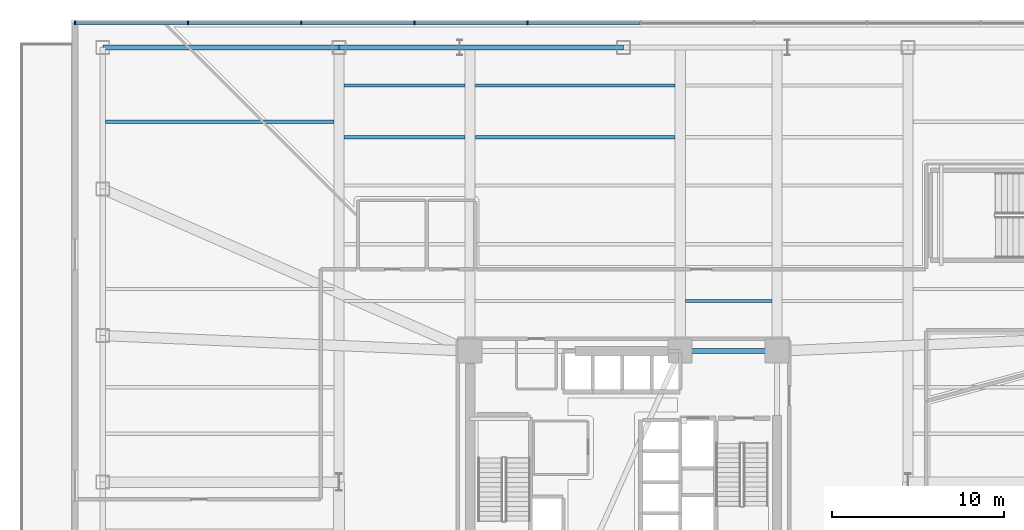
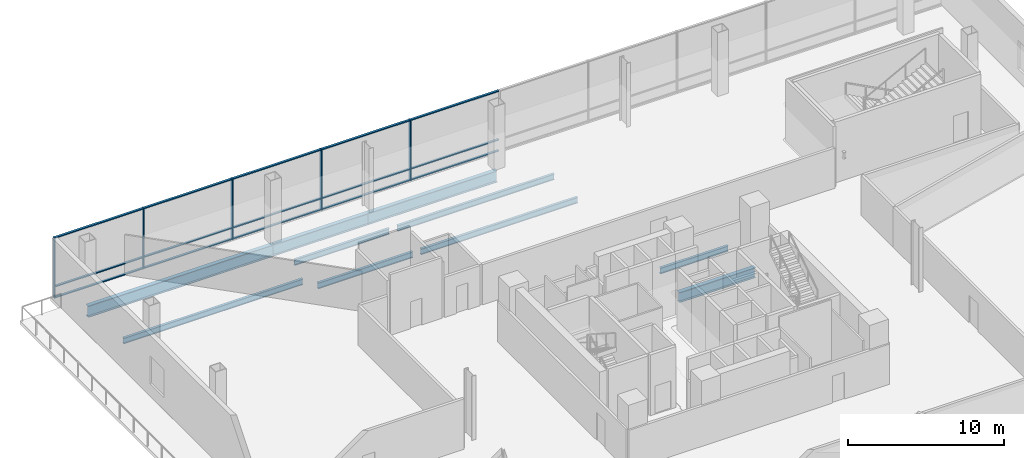
# One storey, part 5 of 20: 20 members, 10 beams, 1 element without a shape of its own.
"""IFC4 building model written with IfcOpenShell, lengths in metres."""

from ifc_helpers import new_model, si_unit, direction, frame, origin, origin_2d, place, context, subcontext, project, spatial, rectangle, i_section, extrude, material, layer, layer_set, material_profile, profile_set, type_object, element, aggregate, save


model = new_model("IFC4")

# Units and contexts
model_context = context("Model", 3, precision=1e-05, world=origin(), true_north=direction((0.0, 1.0)))
body_context = subcontext(model_context, "Body", "Model", "MODEL_VIEW")
ifc_project = project(units=[si_unit("LENGTHUNIT", "METRE"), si_unit("AREAUNIT", "SQUARE_METRE"), si_unit("VOLUMEUNIT", "CUBIC_METRE"), si_unit("PLANEANGLEUNIT", "RADIAN"), si_unit("MASSUNIT", "GRAM", prefix="KILO")], contexts=[model_context])

# Site, building, storey
site_placement = place(None, origin())
site = spatial("IfcSite", under=ifc_project, at=site_placement, CompositionType="ELEMENT")
building_placement = place(site_placement, origin())
building = spatial("IfcBuilding", under=site, at=building_placement, Name="Tharavind Bronze Gate", CompositionType="ELEMENT")
storey_placement = place(building_placement, frame((0.0, 0.0, 16.5)))
storey = spatial("IfcBuildingStorey", under=building, at=storey_placement, Name="L03", CompositionType="ELEMENT", Elevation=16.5)

# Curtain wall, members
ifc_material_1 = material(Name="Anodised Bronze Aluminium", Category="aluminium")
ifc_layer = layer(ifc_material_1, 0.219970703125)
ifc_layer_set = layer_set([ifc_layer], Name="Anodised Bronze Aluminium")
curtain_wall_type = type_object("IfcCurtainWallType", Name="UNITISED CURTAIN WALL PODIUM", PredefinedType="USERDEFINED", material=ifc_layer_set)
curtain_wall_placement = place(storey_placement, origin())
curtain_wall = element("IfcCurtainWall", 1, at=curtain_wall_placement, inside=storey, type_object=curtain_wall_type, Name="L03 unitised curtain wall podium CW-L03-S2", ObjectType="UNITISED CURTAIN WALL", PredefinedType="USERDEFINED")
member_type_1 = type_object("IfcMemberType", Name="CURTAIN WALL MULLION 80X220", PredefinedType="MULLION", material=ifc_material_1)
member_1_placement = place(storey_placement, frame((-5.56396484375, 26.6201171875, 0.0), z_axis=(0.0, 0.0, 1.0), x_axis=(-1.0, 0.0, 0.0)))
member_1 = element("IfcMember", 2, at=member_1_placement, type_object=member_type_1, Name="CW-L03-S2 mullion 7", PredefinedType="MULLION", context=body_context, shape_type="SweptSolid", body=[
    extrude(rectangle(XDim=0.080078125, YDim=0.219970703125, at=origin_2d()), origin(), (0.0, 0.0, 1.0), 4.739990234375),
])
member_2_placement = place(storey_placement, frame((-12.1279296875, 26.6201171875, 0.0), z_axis=(0.0, 0.0, 1.0), x_axis=(-1.0, 0.0, 0.0)))
member_2 = element("IfcMember", 3, at=member_2_placement, type_object=member_type_1, Name="CW-L03-S2 mullion 8", PredefinedType="MULLION", context=body_context, shape_type="SweptSolid", body=[
    extrude(rectangle(XDim=0.080078125, YDim=0.219970703125, at=origin_2d()), origin(), (0.0, 0.0, 1.0), 4.739990234375),
])
member_3_placement = place(storey_placement, frame((-18.69189453125, 26.6201171875, 0.0), z_axis=(0.0, 0.0, 1.0), x_axis=(-1.0, 0.0, 0.0)))
member_3 = element("IfcMember", 4, at=member_3_placement, type_object=member_type_1, Name="CW-L03-S2 mullion 9", PredefinedType="MULLION", context=body_context, shape_type="SweptSolid", body=[
    extrude(rectangle(XDim=0.080078125, YDim=0.219970703125, at=origin_2d()), origin(), (0.0, 0.0, 1.0), 4.739990234375),
])
member_4_placement = place(storey_placement, frame((-25.256103515625, 26.6201171875, 0.0), z_axis=(0.0, 0.0, 1.0), x_axis=(-1.0, 0.0, 0.0)))
member_4 = element("IfcMember", 5, at=member_4_placement, type_object=member_type_1, Name="CW-L03-S2 mullion 10", PredefinedType="MULLION", context=body_context, shape_type="SweptSolid", body=[
    extrude(rectangle(XDim=0.080078125, YDim=0.219970703125, at=origin_2d()), origin(), (0.0, 0.0, 1.0), 4.739990234375),
])
member_5_placement = place(storey_placement, frame((-31.820068359375, 26.6201171875, 0.0), z_axis=(0.0, 0.0, 1.0), x_axis=(-1.0, 0.0, 0.0)))
member_5 = element("IfcMember", 6, at=member_5_placement, type_object=member_type_1, Name="CW-L03-S2 mullion 11", PredefinedType="MULLION", context=body_context, shape_type="SweptSolid", body=[
    extrude(rectangle(XDim=0.080078125, YDim=0.219970703125, at=origin_2d()), origin(), (0.0, 0.0, 1.0), 4.739990234375),
])
member_type_2 = type_object("IfcMemberType", Name="CURTAIN WALL TRANSOM 80X160", PredefinedType="USERDEFINED", material=ifc_material_1)
member_6_placement = place(storey_placement, frame((-2.281982421875, 26.6201171875, 0.0), z_axis=(0.0, 0.0, 1.0), x_axis=(-1.0, 0.0, 0.0)))
member_6 = element("IfcMember", 7, at=member_6_placement, type_object=member_type_2, Name="CW-L03-S2 transom TB6", ObjectType="TRANSOM", PredefinedType="USERDEFINED", context=body_context, shape_type="SweptSolid", body=[
    extrude(rectangle(XDim=6.49609375, YDim=0.159912109375, at=origin_2d()), origin(), (0.0, 0.0, 1.0), 0.080078125),
])
member_7_placement = place(storey_placement, frame((-2.281982421875, 26.6201171875, 0.85986328125), z_axis=(0.0, 0.0, 1.0), x_axis=(-1.0, 0.0, 0.0)))
member_7 = element("IfcMember", 8, at=member_7_placement, type_object=member_type_2, Name="CW-L03-S2 transom TS6", ObjectType="TRANSOM", PredefinedType="USERDEFINED", context=body_context, shape_type="SweptSolid", body=[
    extrude(rectangle(XDim=6.49609375, YDim=0.159912109375, at=origin_2d()), origin(), (0.0, 0.0, 1.0), 0.080078125),
])
member_8_placement = place(storey_placement, frame((-2.281982421875, 26.6201171875, 4.659912109375), z_axis=(0.0, 0.0, 1.0), x_axis=(-1.0, 0.0, 0.0)))
member_8 = element("IfcMember", 9, at=member_8_placement, type_object=member_type_2, Name="CW-L03-S2 transom TT6", ObjectType="TRANSOM", PredefinedType="USERDEFINED", context=body_context, shape_type="SweptSolid", body=[
    extrude(rectangle(XDim=6.49609375, YDim=0.159912109375, at=origin_2d()), origin(), (0.0, 0.0, 1.0), 0.080078125),
])
member_9_placement = place(storey_placement, frame((-8.845947265625, 26.6201171875, 0.0), z_axis=(0.0, 0.0, 1.0), x_axis=(-1.0, 0.0, 0.0)))
member_9 = element("IfcMember", 10, at=member_9_placement, type_object=member_type_2, Name="CW-L03-S2 transom TB7", ObjectType="TRANSOM", PredefinedType="USERDEFINED", context=body_context, shape_type="SweptSolid", body=[
    extrude(rectangle(XDim=6.49609375, YDim=0.159912109375, at=origin_2d()), origin(), (0.0, 0.0, 1.0), 0.080078125),
])
member_10_placement = place(storey_placement, frame((-8.845947265625, 26.6201171875, 0.85986328125), z_axis=(0.0, 0.0, 1.0), x_axis=(-1.0, 0.0, 0.0)))
member_10 = element("IfcMember", 11, at=member_10_placement, type_object=member_type_2, Name="CW-L03-S2 transom TS7", ObjectType="TRANSOM", PredefinedType="USERDEFINED", context=body_context, shape_type="SweptSolid", body=[
    extrude(rectangle(XDim=6.49609375, YDim=0.159912109375, at=origin_2d()), origin(), (0.0, 0.0, 1.0), 0.080078125),
])
member_11_placement = place(storey_placement, frame((-8.845947265625, 26.6201171875, 4.659912109375), z_axis=(0.0, 0.0, 1.0), x_axis=(-1.0, 0.0, 0.0)))
member_11 = element("IfcMember", 12, at=member_11_placement, type_object=member_type_2, Name="CW-L03-S2 transom TT7", ObjectType="TRANSOM", PredefinedType="USERDEFINED", context=body_context, shape_type="SweptSolid", body=[
    extrude(rectangle(XDim=6.49609375, YDim=0.159912109375, at=origin_2d()), origin(), (0.0, 0.0, 1.0), 0.080078125),
])
member_12_placement = place(storey_placement, frame((-15.409912109375, 26.6201171875, 0.0), z_axis=(0.0, 0.0, 1.0), x_axis=(-1.0, 0.0, 0.0)))
member_12 = element("IfcMember", 13, at=member_12_placement, type_object=member_type_2, Name="CW-L03-S2 transom TB8", ObjectType="TRANSOM", PredefinedType="USERDEFINED", context=body_context, shape_type="SweptSolid", body=[
    extrude(rectangle(XDim=6.49609375, YDim=0.159912109375, at=origin_2d()), origin(), (0.0, 0.0, 1.0), 0.080078125),
])
member_13_placement = place(storey_placement, frame((-15.409912109375, 26.6201171875, 0.85986328125), z_axis=(0.0, 0.0, 1.0), x_axis=(-1.0, 0.0, 0.0)))
member_13 = element("IfcMember", 14, at=member_13_placement, type_object=member_type_2, Name="CW-L03-S2 transom TS8", ObjectType="TRANSOM", PredefinedType="USERDEFINED", context=body_context, shape_type="SweptSolid", body=[
    extrude(rectangle(XDim=6.49609375, YDim=0.159912109375, at=origin_2d()), origin(), (0.0, 0.0, 1.0), 0.080078125),
])
member_14_placement = place(storey_placement, frame((-15.409912109375, 26.6201171875, 4.659912109375), z_axis=(0.0, 0.0, 1.0), x_axis=(-1.0, 0.0, 0.0)))
member_14 = element("IfcMember", 15, at=member_14_placement, type_object=member_type_2, Name="CW-L03-S2 transom TT8", ObjectType="TRANSOM", PredefinedType="USERDEFINED", context=body_context, shape_type="SweptSolid", body=[
    extrude(rectangle(XDim=6.49609375, YDim=0.159912109375, at=origin_2d()), origin(), (0.0, 0.0, 1.0), 0.080078125),
])
member_15_placement = place(storey_placement, frame((-21.97412109375, 26.6201171875, 0.0), z_axis=(0.0, 0.0, 1.0), x_axis=(-1.0, 0.0, 0.0)))
member_15 = element("IfcMember", 16, at=member_15_placement, type_object=member_type_2, Name="CW-L03-S2 transom TB9", ObjectType="TRANSOM", PredefinedType="USERDEFINED", context=body_context, shape_type="SweptSolid", body=[
    extrude(rectangle(XDim=6.49609375, YDim=0.159912109375, at=origin_2d()), origin(), (0.0, 0.0, 1.0), 0.080078125),
])
member_16_placement = place(storey_placement, frame((-21.97412109375, 26.6201171875, 0.85986328125), z_axis=(0.0, 0.0, 1.0), x_axis=(-1.0, 0.0, 0.0)))
member_16 = element("IfcMember", 17, at=member_16_placement, type_object=member_type_2, Name="CW-L03-S2 transom TS9", ObjectType="TRANSOM", PredefinedType="USERDEFINED", context=body_context, shape_type="SweptSolid", body=[
    extrude(rectangle(XDim=6.49609375, YDim=0.159912109375, at=origin_2d()), origin(), (0.0, 0.0, 1.0), 0.080078125),
])
member_17_placement = place(storey_placement, frame((-21.97412109375, 26.6201171875, 4.659912109375), z_axis=(0.0, 0.0, 1.0), x_axis=(-1.0, 0.0, 0.0)))
member_17 = element("IfcMember", 18, at=member_17_placement, type_object=member_type_2, Name="CW-L03-S2 transom TT9", ObjectType="TRANSOM", PredefinedType="USERDEFINED", context=body_context, shape_type="SweptSolid", body=[
    extrude(rectangle(XDim=6.49609375, YDim=0.159912109375, at=origin_2d()), origin(), (0.0, 0.0, 1.0), 0.080078125),
])
member_18_placement = place(storey_placement, frame((-28.5380859375, 26.6201171875, 0.0), z_axis=(0.0, 0.0, 1.0), x_axis=(-1.0, 0.0, 0.0)))
member_18 = element("IfcMember", 19, at=member_18_placement, type_object=member_type_2, Name="CW-L03-S2 transom TB10", ObjectType="TRANSOM", PredefinedType="USERDEFINED", context=body_context, shape_type="SweptSolid", body=[
    extrude(rectangle(XDim=6.49609375, YDim=0.159912109375, at=origin_2d()), origin(), (0.0, 0.0, 1.0), 0.080078125),
])
member_19_placement = place(storey_placement, frame((-28.5380859375, 26.6201171875, 0.85986328125), z_axis=(0.0, 0.0, 1.0), x_axis=(-1.0, 0.0, 0.0)))
member_19 = element("IfcMember", 20, at=member_19_placement, type_object=member_type_2, Name="CW-L03-S2 transom TS10", ObjectType="TRANSOM", PredefinedType="USERDEFINED", context=body_context, shape_type="SweptSolid", body=[
    extrude(rectangle(XDim=6.49609375, YDim=0.159912109375, at=origin_2d()), origin(), (0.0, 0.0, 1.0), 0.080078125),
])
member_20_placement = place(storey_placement, frame((-28.5380859375, 26.6201171875, 4.659912109375), z_axis=(0.0, 0.0, 1.0), x_axis=(-1.0, 0.0, 0.0)))
member_20 = element("IfcMember", 21, at=member_20_placement, type_object=member_type_2, Name="CW-L03-S2 transom TT10", ObjectType="TRANSOM", PredefinedType="USERDEFINED", context=body_context, shape_type="SweptSolid", body=[
    extrude(rectangle(XDim=6.49609375, YDim=0.159912109375, at=origin_2d()), origin(), (0.0, 0.0, 1.0), 0.080078125),
])
aggregate(curtain_wall, [member_1, member_2, member_3, member_4, member_5, member_6, member_7, member_8, member_9, member_10, member_11, member_12, member_13, member_14, member_15, member_16, member_17, member_18, member_19, member_20])

# Beams
ifc_material_2 = material(Name="Steel S355", Category="steel")
ifc_material_profile_1 = material_profile(ifc_material_2, i_section(OverallWidth=0.300048828125, OverallDepth=0.800048828125, WebThickness=0.017578125, FlangeThickness=0.032958984375, at=origin_2d()), Name="HE800B")
ifc_profile_set_1 = profile_set([ifc_material_profile_1], Name="Steel S355")
beam_type_1 = type_object("IfcBeamType", Name="RING GIRDER HE800B", PredefinedType="USERDEFINED", material=ifc_profile_set_1)
beam_1_placement = place(storey_placement, frame((8.89990234375, 7.60009765625, -0.659912109375), z_axis=(-1.0, 0.0, 0.0), x_axis=(0.0, -1.0, 0.0)))
element("IfcBeam", 22, at=beam_1_placement, inside=storey, type_object=beam_type_1, Name="L03 ring girder he800b BM-L03-CR4", ObjectType="GIRDER", PredefinedType="USERDEFINED", context=body_context, shape_type="SweptSolid", body=[
    extrude(i_section(OverallWidth=0.300048828125, OverallDepth=0.800048828125, WebThickness=0.017578125, FlangeThickness=0.032958984375, at=origin_2d()), origin(), (0.0, 0.0, 1.0), 5.619873046875),
])
ifc_material_profile_2 = material_profile(ifc_material_2, i_section(OverallWidth=0.18994140625, OverallDepth=0.449951171875, WebThickness=0.009521484375, FlangeThickness=0.0146484375, at=origin_2d()), Name="IPE450")
ifc_profile_set_2 = profile_set([ifc_material_profile_2], Name="Steel S355")
beam_type_2 = type_object("IfcBeamType", Name="SECONDARY FLOOR JOIST IPE450", PredefinedType="JOIST", material=ifc_profile_set_2)
beam_2_placement = place(storey_placement, frame((3.58203125, 10.5, -0.485107421875), z_axis=(1.0, 0.0, 0.0), x_axis=(0.0, 1.0, 0.0)))
element("IfcBeam", 23, at=beam_2_placement, inside=storey, type_object=beam_type_2, Name="L03 secondary floor joist ipe450 BM-L03-JSN1B", PredefinedType="JOIST", context=body_context, shape_type="SweptSolid", body=[
    extrude(i_section(OverallWidth=0.18994140625, OverallDepth=0.449951171875, WebThickness=0.009521484375, FlangeThickness=0.0146484375, at=origin_2d()), origin(), (0.0, 0.0, 1.0), 5.015869140625),
])
beam_3_placement = place(storey_placement, frame((-8.597900390625, 20.0, -0.485107421875), z_axis=(1.0, 0.0, 0.0), x_axis=(0.0, 1.0, 0.0)))
element("IfcBeam", 24, at=beam_3_placement, inside=storey, type_object=beam_type_2, Name="L03 secondary floor joist ipe450 BM-L03-JSN4A", PredefinedType="JOIST", context=body_context, shape_type="SweptSolid", body=[
    extrude(i_section(OverallWidth=0.18994140625, OverallDepth=0.449951171875, WebThickness=0.009521484375, FlangeThickness=0.0146484375, at=origin_2d()), origin(), (0.0, 0.0, 1.0), 11.575927734375),
])
beam_4_placement = place(storey_placement, frame((-16.197998046875, 20.0, -0.485107421875), z_axis=(1.0, 0.0, 0.0), x_axis=(0.0, 1.0, 0.0)))
element("IfcBeam", 25, at=beam_4_placement, inside=storey, type_object=beam_type_2, Name="L03 secondary floor joist ipe450 BM-L03-JSN4W", PredefinedType="JOIST", context=body_context, shape_type="SweptSolid", body=[
    extrude(i_section(OverallWidth=0.18994140625, OverallDepth=0.449951171875, WebThickness=0.009521484375, FlangeThickness=0.0146484375, at=origin_2d()), origin(), (0.0, 0.0, 1.0), 6.99609375),
])
beam_5_placement = place(storey_placement, frame((-8.597900390625, 23.0, -0.485107421875), z_axis=(1.0, 0.0, 0.0), x_axis=(0.0, 1.0, 0.0)))
element("IfcBeam", 26, at=beam_5_placement, inside=storey, type_object=beam_type_2, Name="L03 secondary floor joist ipe450 BM-L03-JSN5A", PredefinedType="JOIST", context=body_context, shape_type="SweptSolid", body=[
    extrude(i_section(OverallWidth=0.18994140625, OverallDepth=0.449951171875, WebThickness=0.009521484375, FlangeThickness=0.0146484375, at=origin_2d()), origin(), (0.0, 0.0, 1.0), 11.575927734375),
])
beam_6_placement = place(storey_placement, frame((-16.197998046875, 23.0, -0.485107421875), z_axis=(1.0, 0.0, 0.0), x_axis=(0.0, 1.0, 0.0)))
element("IfcBeam", 27, at=beam_6_placement, inside=storey, type_object=beam_type_2, Name="L03 secondary floor joist ipe450 BM-L03-JSN5W", PredefinedType="JOIST", context=body_context, shape_type="SweptSolid", body=[
    extrude(i_section(OverallWidth=0.18994140625, OverallDepth=0.449951171875, WebThickness=0.009521484375, FlangeThickness=0.0146484375, at=origin_2d()), origin(), (0.0, 0.0, 1.0), 6.99609375),
])
beam_7_placement = place(storey_placement, frame((-30.0400390625, 20.89990234375, -0.485107421875), z_axis=(1.0, 0.0, 0.0), x_axis=(0.0, 1.0, 0.0)))
element("IfcBeam", 28, at=beam_7_placement, inside=storey, type_object=beam_type_2, Name="L03 secondary floor joist ipe450 BM-L03-JSWW9", PredefinedType="JOIST", context=body_context, shape_type="SweptSolid", body=[
    extrude(i_section(OverallWidth=0.18994140625, OverallDepth=0.449951171875, WebThickness=0.009521484375, FlangeThickness=0.0146484375, at=origin_2d()), origin(), (0.0, 0.0, 1.0), 13.238037109375),
])
ifc_material_profile_3 = material_profile(ifc_material_2, i_section(OverallWidth=0.300048828125, OverallDepth=0.89990234375, WebThickness=0.0185546875, FlangeThickness=0.034912109375, at=origin_2d()), Name="HE900B")
ifc_profile_set_3 = profile_set([ifc_material_profile_3], Name="Steel S355")
beam_type_3 = type_object("IfcBeamType", Name="SPANDREL RING BEAM HE900B", PredefinedType="SPANDREL", material=ifc_profile_set_3)
beam_8_placement = place(storey_placement, frame((-30.199951171875, 25.199951171875, -0.7099609375), z_axis=(1.0, 0.0, 0.0), x_axis=(0.0, 1.0, 0.0)))
element("IfcBeam", 29, at=beam_8_placement, inside=storey, type_object=beam_type_3, Name="L03 spandrel ring beam he900b BM-L03-PN1", PredefinedType="SPANDREL", context=body_context, shape_type="SweptSolid", body=[
    extrude(i_section(OverallWidth=0.300048828125, OverallDepth=0.89990234375, WebThickness=0.0185546875, FlangeThickness=0.034912109375, at=origin_2d()), origin(), (0.0, 0.0, 1.0), 13.699951171875),
])
beam_9_placement = place(storey_placement, frame((-16.5, 25.199951171875, -0.7099609375), z_axis=(1.0, 0.0, 0.0), x_axis=(0.0, 1.0, 0.0)))
element("IfcBeam", 30, at=beam_9_placement, inside=storey, type_object=beam_type_3, Name="L03 spandrel ring beam he900b BM-L03-PN2", PredefinedType="SPANDREL", context=body_context, shape_type="SweptSolid", body=[
    extrude(i_section(OverallWidth=0.300048828125, OverallDepth=0.89990234375, WebThickness=0.0185546875, FlangeThickness=0.034912109375, at=origin_2d()), origin(), (0.0, 0.0, 1.0), 7.0),
])
beam_10_placement = place(storey_placement, frame((-9.5, 25.199951171875, -0.7099609375), z_axis=(1.0, 0.0, 0.0), x_axis=(0.0, 1.0, 0.0)))
element("IfcBeam", 31, at=beam_10_placement, inside=storey, type_object=beam_type_3, Name="L03 spandrel ring beam he900b BM-L03-PN3", PredefinedType="SPANDREL", context=body_context, shape_type="SweptSolid", body=[
    extrude(i_section(OverallWidth=0.300048828125, OverallDepth=0.89990234375, WebThickness=0.0185546875, FlangeThickness=0.034912109375, at=origin_2d()), origin(), (0.0, 0.0, 1.0), 9.5),
])

save(model, "model.ifc")
